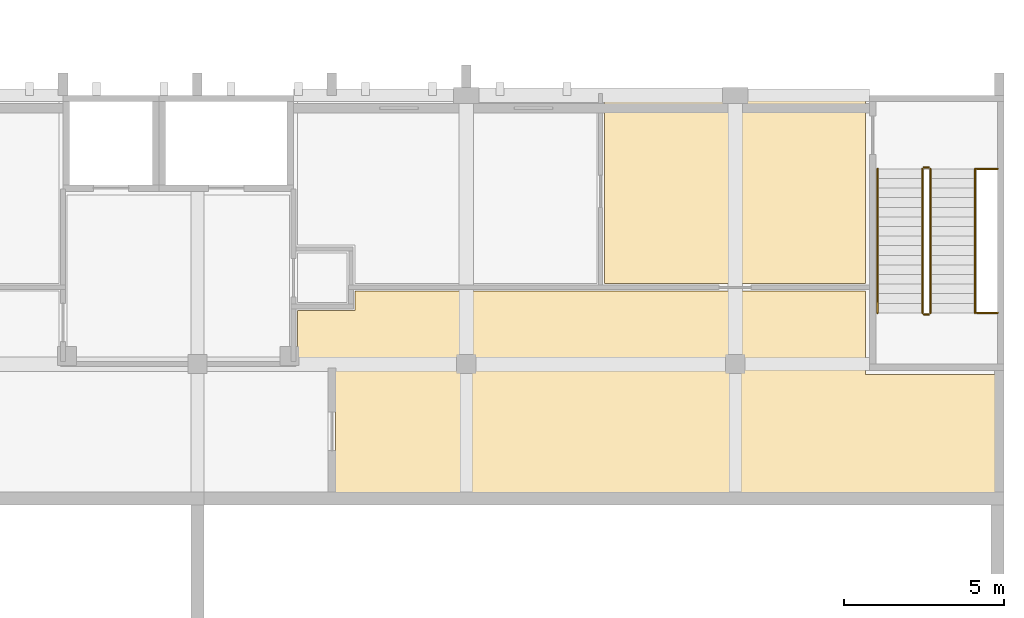
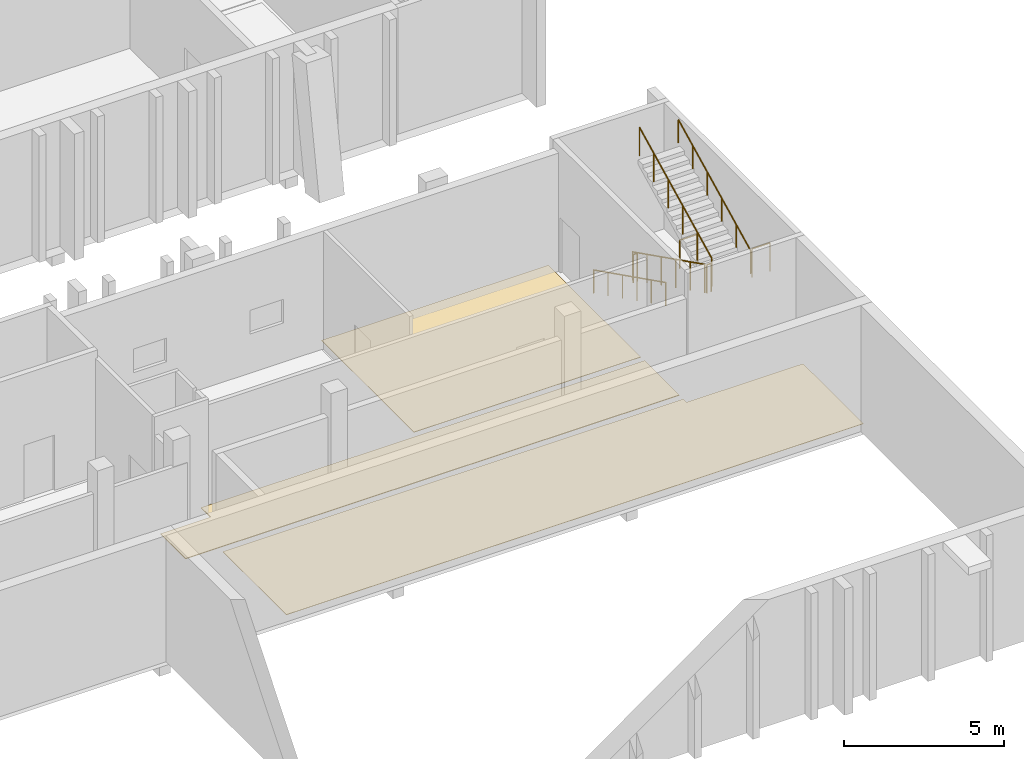
# One storey, part 89 of 91: 8 railings, 3 coverings.
"""IFC4 building model written with IfcOpenShell, lengths in metres."""

from ifc_helpers import new_model, si_unit, direction, frame, origin, origin_2d, place, context, subcontext, project, spatial, polyline, circle, outline, extrude, material, layer, layer_set, type_object, element, save


model = new_model("IFC4")

# Units and contexts
model_context = context("Model", 3, precision=1e-05, world=origin(), true_north=direction((0.0, 1.0)))
body_context = subcontext(model_context, "Body", "Model", "MODEL_VIEW")
ifc_project = project(units=[si_unit("LENGTHUNIT", "METRE"), si_unit("AREAUNIT", "SQUARE_METRE"), si_unit("VOLUMEUNIT", "CUBIC_METRE"), si_unit("PLANEANGLEUNIT", "RADIAN"), si_unit("MASSUNIT", "GRAM", prefix="KILO")], contexts=[model_context])

# Site, building, storey
site_placement = place(None, origin())
site = spatial("IfcSite", under=ifc_project, at=site_placement, CompositionType="ELEMENT")
building_placement = place(site_placement, origin())
building = spatial("IfcBuilding", under=site, at=building_placement, Name="Kiln Court Media Centre", CompositionType="ELEMENT")
storey_placement = place(building_placement, frame((0.0, 0.0, 5.39990234375)))
storey = spatial("IfcBuildingStorey", under=building, at=storey_placement, Name="L01", CompositionType="ELEMENT", Elevation=5.39990234375)

# Coverings
ifc_material_1 = material(Name="Carpet tile")
ifc_layer_1 = layer(ifc_material_1, 0.014892578125)
ifc_layer_set_1 = layer_set([ifc_layer_1], Name="Carpet tile floor finish 15")
covering_type_1 = type_object("IfcCoveringType", Name="Carpet tile floor finish 15", PredefinedType="FLOORING", material=ifc_layer_set_1)
covering_1_placement = place(storey_placement, origin())
element("IfcCovering", 1, at=covering_1_placement, inside=storey, type_object=covering_type_1, Name="Control Room 2 Gallery floor finish", PredefinedType="FLOORING", context=body_context, shape_type="SweptSolid", body=[
    extrude(outline(polyline([(167.8798828125, 12.719970703125), (167.8798828125, 16.47998046875), (163.679931640625, 16.47998046875), (163.679931640625, 16.679931640625), (147.1201171875, 16.679931640625), (147.1201171875, 12.719970703125), (167.8798828125, 12.719970703125)])), origin(), (0.0, 0.0, 1.0), 0.01513671875),
])
covering_2_placement = place(storey_placement, origin())
element("IfcCovering", 2, at=covering_2_placement, inside=storey, type_object=covering_type_1, Name="Audio Post Suite 3 floor finish", PredefinedType="FLOORING", context=body_context, shape_type="SweptSolid", body=[
    extrude(outline(polyline([(155.52001953125, 19.320068359375), (163.679931640625, 19.320068359375), (163.679931640625, 25.080078125), (155.52001953125, 25.080078125), (155.52001953125, 19.320068359375)])), origin(), (0.0, 0.0, 1.0), 0.01513671875),
])
ifc_material_2 = material(Name="Terrazzo")
ifc_layer_2 = layer(ifc_material_2, 0.02490234375)
ifc_layer_set_2 = layer_set([ifc_layer_2], Name="Polished terrazzo floor finish 25")
covering_type_2 = type_object("IfcCoveringType", Name="Polished terrazzo floor finish 25", PredefinedType="FLOORING", material=ifc_layer_set_2)
covering_3_placement = place(storey_placement, origin())
element("IfcCovering", 3, at=covering_3_placement, inside=storey, type_object=covering_type_2, Name="Studio Corridor floor finish", PredefinedType="FLOORING", context=body_context, shape_type="SweptSolid", body=[
    extrude(outline(polyline([(163.679931640625, 19.080078125), (147.719970703125, 19.080078125), (147.719970703125, 18.47998046875), (145.919921875, 18.47998046875), (145.919921875, 16.919921875), (163.679931640625, 16.919921875), (163.679931640625, 19.080078125)])), origin(), (0.0, 0.0, 1.0), 0.025146484375),
])

# Railings
ifc_material_3 = material(Name="Steel S275", Category="steel")
railing_type_1 = type_object("IfcRailingType", Name="Steel S275 stair guard 1100", PredefinedType="GUARDRAIL", material=ifc_material_3)
railing_1_placement = place(storey_placement, frame((165.449951171875, 22.89990234375, 0.150146484375)))
element("IfcRailing", 4, at=railing_1_placement, inside=storey, type_object=railing_type_1, Name="ST-17 stair guard", PredefinedType="GUARDRAIL", context=body_context, shape_type="SweptSolid", body=[
    extrude(circle(Radius=0.02392578125, at=origin_2d()), frame((0.0, 0.0, 1.076171875), z_axis=(0.0, -0.894427191, 0.4472135955), x_axis=(1.0, 0.0, 0.0)), (0.0, 0.0, 1.0), 5.03125),
    extrude(circle(Radius=0.02099609375, at=origin_2d()), origin(), (0.0, 0.0, 1.0), 1.052001953125),
    extrude(circle(Radius=0.02099609375, at=origin_2d()), frame((0.0, -0.89990234375, 0.449951171875)), (0.0, 0.0, 1.0), 1.052001953125),
    extrude(circle(Radius=0.02099609375, at=origin_2d()), frame((0.0, -1.800048828125, 0.89990234375)), (0.0, 0.0, 1.0), 1.052001953125),
    extrude(circle(Radius=0.02099609375, at=origin_2d()), frame((0.0, -2.699951171875, 1.35009765625)), (0.0, 0.0, 1.0), 1.052001953125),
    extrude(circle(Radius=0.02099609375, at=origin_2d()), frame((0.0, -3.60009765625, 1.800048828125)), (0.0, 0.0, 1.0), 1.052001953125),
    extrude(circle(Radius=0.02099609375, at=origin_2d()), frame((0.0, -4.5, 2.25)), (0.0, 0.0, 1.0), 1.052001953125),
])
railing_2_placement = place(storey_placement, frame((165.5, 18.35009765625, 2.400146484375)))
element("IfcRailing", 5, at=railing_2_placement, inside=storey, type_object=railing_type_1, Name="ST-17 stair guard", PredefinedType="GUARDRAIL", context=body_context, shape_type="SweptSolid", body=[
    extrude(circle(Radius=0.02392578125, at=origin_2d()), frame((0.0, 0.0, 1.076171875), z_axis=(1.0, 0.0, 0.0), x_axis=(0.0, 1.0, 0.0)), (0.0, 0.0, 1.0), 0.14990234375),
    extrude(circle(Radius=0.02099609375, at=origin_2d()), origin(), (0.0, 0.0, 1.0), 1.052001953125),
    extrude(circle(Radius=0.02099609375, at=origin_2d()), frame((0.14990234375, 0.0, 0.0)), (0.0, 0.0, 1.0), 1.052001953125),
])
railing_3_placement = place(storey_placement, frame((165.699951171875, 18.39990234375, 2.550048828125)))
element("IfcRailing", 6, at=railing_3_placement, inside=storey, type_object=railing_type_1, Name="ST-17 stair guard", PredefinedType="GUARDRAIL", context=body_context, shape_type="SweptSolid", body=[
    extrude(circle(Radius=0.02392578125, at=origin_2d()), frame((0.0, 0.0, 1.076171875), z_axis=(0.0, 0.894427191, 0.4472135955), x_axis=(-1.0, 0.0, 0.0)), (0.0, 0.0, 1.0), 5.03125),
    extrude(circle(Radius=0.02099609375, at=origin_2d()), origin(), (0.0, 0.0, 1.0), 1.052001953125),
    extrude(circle(Radius=0.02099609375, at=origin_2d()), frame((0.0, 0.89990234375, 0.449951171875)), (0.0, 0.0, 1.0), 1.052001953125),
    extrude(circle(Radius=0.02099609375, at=origin_2d()), frame((0.0, 1.800048828125, 0.89990234375)), (0.0, 0.0, 1.0), 1.052001953125),
    extrude(circle(Radius=0.02099609375, at=origin_2d()), frame((0.0, 2.699951171875, 1.35009765625)), (0.0, 0.0, 1.0), 1.052001953125),
    extrude(circle(Radius=0.02099609375, at=origin_2d()), frame((0.0, 3.60009765625, 1.800048828125)), (0.0, 0.0, 1.0), 1.052001953125),
    extrude(circle(Radius=0.02099609375, at=origin_2d()), frame((0.0, 4.5, 2.25)), (0.0, 0.0, 1.0), 1.052001953125),
])
railing_4_placement = place(storey_placement, frame((165.5, 22.949951171875, 0.0)))
element("IfcRailing", 7, at=railing_4_placement, inside=storey, type_object=railing_type_1, Name="ST-17 stair guard", PredefinedType="GUARDRAIL", context=body_context, shape_type="SweptSolid", body=[
    extrude(circle(Radius=0.02392578125, at=origin_2d()), frame((0.0, 0.0, 1.076171875), z_axis=(1.0, 0.0, 0.0), x_axis=(0.0, 1.0, 0.0)), (0.0, 0.0, 1.0), 0.14990234375),
    extrude(circle(Radius=0.02099609375, at=origin_2d()), origin(), (0.0, 0.0, 1.0), 1.052001953125),
    extrude(circle(Radius=0.02099609375, at=origin_2d()), frame((0.14990234375, 0.0, 0.0)), (0.0, 0.0, 1.0), 1.052001953125),
])
for number, where, name in (
    (8, (167.14990234375, 18.39990234375, 2.400146484375), "ST-17 landing edge guard"),
    (9, (167.14990234375, 22.89990234375, 0.0), "ST-17 landing edge guard"),
):
    element("IfcRailing", number, at=place(storey_placement, frame(where)), inside=storey, type_object=railing_type_1, Name=name, PredefinedType="GUARDRAIL", context=body_context, shape_type="SweptSolid", body=[
        extrude(circle(Radius=0.02392578125, at=origin_2d()), frame((0.0, 0.0, 1.076171875), z_axis=(1.0, 0.0, 0.0), x_axis=(0.0, 1.0, 0.0)), (0.0, 0.0, 1.0), 0.650146484375),
        extrude(circle(Radius=0.02099609375, at=origin_2d()), origin(), (0.0, 0.0, 1.0), 1.052001953125),
        extrude(circle(Radius=0.02099609375, at=origin_2d()), frame((0.650146484375, 0.0, 0.0)), (0.0, 0.0, 1.0), 1.052001953125),
    ])
ifc_material_4 = material(Name="Steel S275", Category="steel")
railing_type_2 = type_object("IfcRailingType", Name="Steel S275 stair handrail 900", PredefinedType="HANDRAIL", material=ifc_material_4)
railing_5_placement = place(storey_placement, frame((164.050048828125, 22.89990234375, 0.150146484375)))
element("IfcRailing", 10, at=railing_5_placement, inside=storey, type_object=railing_type_2, Name="ST-17 stair handrail", PredefinedType="HANDRAIL", context=body_context, shape_type="SweptSolid", body=[
    extrude(circle(Radius=0.02392578125, at=origin_2d()), frame((0.0, 0.0, 0.8759765625), z_axis=(0.0, -0.894427191, 0.4472135955), x_axis=(1.0, 0.0, 0.0)), (0.0, 0.0, 1.0), 5.03125),
    extrude(circle(Radius=0.02099609375, at=origin_2d()), origin(), (0.0, 0.0, 1.0), 0.851806640625),
    extrude(circle(Radius=0.02099609375, at=origin_2d()), frame((0.0, -0.89990234375, 0.449951171875)), (0.0, 0.0, 1.0), 0.851806640625),
    extrude(circle(Radius=0.02099609375, at=origin_2d()), frame((0.0, -1.800048828125, 0.89990234375)), (0.0, 0.0, 1.0), 0.851806640625),
    extrude(circle(Radius=0.02099609375, at=origin_2d()), frame((0.0, -2.699951171875, 1.35009765625)), (0.0, 0.0, 1.0), 0.851806640625),
    extrude(circle(Radius=0.02099609375, at=origin_2d()), frame((0.0, -3.60009765625, 1.800048828125)), (0.0, 0.0, 1.0), 0.851806640625),
    extrude(circle(Radius=0.02099609375, at=origin_2d()), frame((0.0, -4.5, 2.25)), (0.0, 0.0, 1.0), 0.851806640625),
])
railing_6_placement = place(storey_placement, frame((167.10009765625, 18.39990234375, 2.550048828125)))
element("IfcRailing", 11, at=railing_6_placement, inside=storey, type_object=railing_type_2, Name="ST-17 stair handrail", PredefinedType="HANDRAIL", context=body_context, shape_type="SweptSolid", body=[
    extrude(circle(Radius=0.02392578125, at=origin_2d()), frame((0.0, 0.0, 0.8759765625), z_axis=(0.0, 0.894427191, 0.4472135955), x_axis=(-1.0, 0.0, 0.0)), (0.0, 0.0, 1.0), 5.03125),
    extrude(circle(Radius=0.02099609375, at=origin_2d()), origin(), (0.0, 0.0, 1.0), 0.851806640625),
    extrude(circle(Radius=0.02099609375, at=origin_2d()), frame((0.0, 0.89990234375, 0.449951171875)), (0.0, 0.0, 1.0), 0.851806640625),
    extrude(circle(Radius=0.02099609375, at=origin_2d()), frame((0.0, 1.800048828125, 0.89990234375)), (0.0, 0.0, 1.0), 0.851806640625),
    extrude(circle(Radius=0.02099609375, at=origin_2d()), frame((0.0, 2.699951171875, 1.35009765625)), (0.0, 0.0, 1.0), 0.851806640625),
    extrude(circle(Radius=0.02099609375, at=origin_2d()), frame((0.0, 3.60009765625, 1.800048828125)), (0.0, 0.0, 1.0), 0.851806640625),
    extrude(circle(Radius=0.02099609375, at=origin_2d()), frame((0.0, 4.5, 2.25)), (0.0, 0.0, 1.0), 0.851806640625),
])

save(model, "model.ifc")
